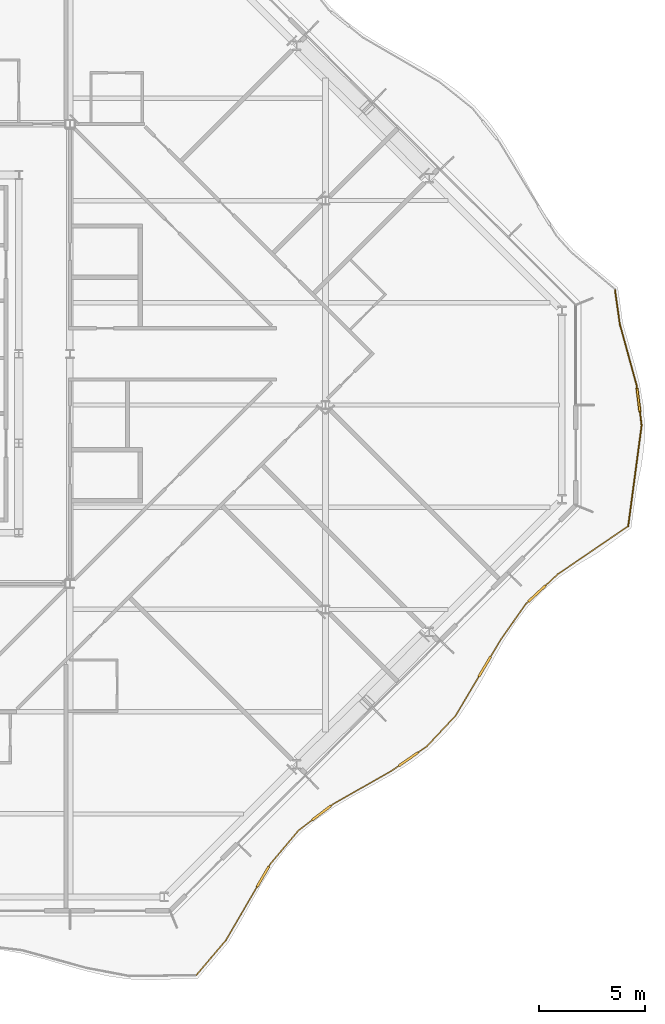
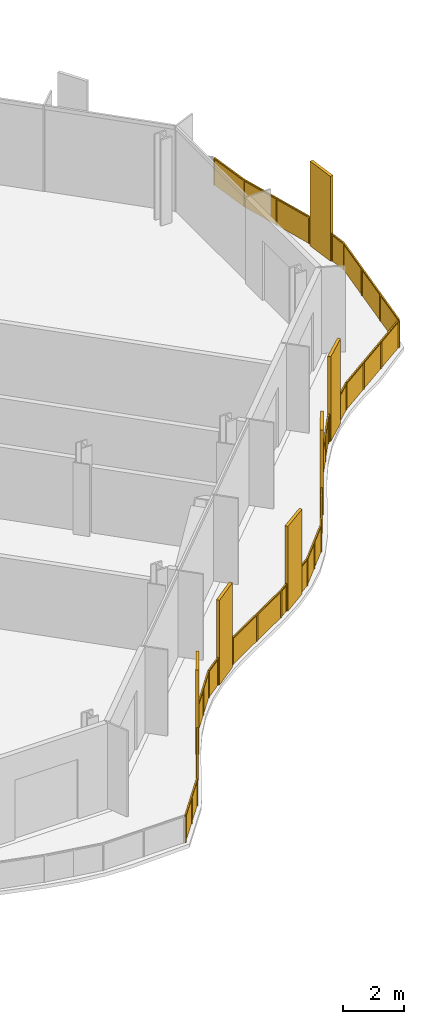
# One storey, part 15 of 17: 2 railings.
"""IFC4 building model written with IfcOpenShell, lengths in metres."""

from ifc_helpers import new_model, si_unit, direction, frame, origin, origin_2d, place, context, subcontext, project, spatial, polyline, rectangle, outline, extrude, material, type_object, element, save


model = new_model("IFC4")

# Units and contexts
model_context = context("Model", 3, precision=1e-05, world=origin(), true_north=direction((0.0, 1.0)))
body_context = subcontext(model_context, "Body", "Model", "MODEL_VIEW")
ifc_project = project(units=[si_unit("LENGTHUNIT", "METRE"), si_unit("AREAUNIT", "SQUARE_METRE"), si_unit("VOLUMEUNIT", "CUBIC_METRE"), si_unit("PLANEANGLEUNIT", "RADIAN"), si_unit("MASSUNIT", "GRAM", prefix="KILO")], contexts=[model_context])

# Site, building, storey
site_placement = place(None, origin())
site = spatial("IfcSite", under=ifc_project, at=site_placement, CompositionType="ELEMENT")
building_placement = place(site_placement, origin())
building = spatial("IfcBuilding", under=site, at=building_placement, Name="Cairn Pilgrim Tower", CompositionType="ELEMENT")
storey_placement = place(building_placement, frame((0.0, 0.0, 225.0)))
storey = spatial("IfcBuildingStorey", under=building, at=storey_placement, Name="L57", CompositionType="ELEMENT", Elevation=225.0)

# Railings
ifc_material = material(Name="Bronze anodised aluminium rail, posts and fin screens with laminated glass infill", Category="aluminium")
railing_type = type_object("IfcRailingType", Name="BALCONY GUARD WITH FIN SCREENS", PredefinedType="GUARDRAIL", material=ifc_material)
railing_1_placement = place(storey_placement, frame((25.138427734375, -26.769287109375, 0.0)))
element("IfcRailing", 1, at=railing_1_placement, inside=storey, type_object=railing_type, Name="Balcony guard BGF-2 with fin screens", PredefinedType="GUARDRAIL", context=body_context, shape_type="SweptSolid", body=[
    extrude(rectangle(XDim=0.050048828125, YDim=0.050048828125, at=origin_2d()), frame((0.0, 0.0, 1.0751953125), z_axis=(0.646667941589, 0.762771639038, 0.0), x_axis=(-0.762771639038, 0.646667941589, 0.0)), (0.0, 0.0, 1.0), 2.140625),
    extrude(rectangle(XDim=1.10009765625, YDim=0.110107421875, at=origin_2d()), frame((3.12548828125, 4.62255859375, 0.0), z_axis=(0.0, 0.0, 1.0), x_axis=(0.503276157898, 0.864125632585, 0.0)), (0.0, 0.0, 1.0), 3.39990234375),
    extrude(rectangle(XDim=0.050048828125, YDim=0.050048828125, at=origin_2d()), frame((1.38427734375, 1.6328125, 1.0751953125), z_axis=(0.503276157898, 0.864125632585, 0.0), x_axis=(-0.864125632585, 0.503276157898, 0.0)), (0.0, 0.0, 1.0), 2.909912109375),
    extrude(rectangle(XDim=0.050048828125, YDim=0.050048828125, at=origin_2d()), frame((3.40234375, 5.097900390625, 1.0751953125), z_axis=(0.503276157898, 0.864125632585, 0.0), x_axis=(-0.864125632585, 0.503276157898, 0.0)), (0.0, 0.0, 1.0), 0.150390625),
    extrude(rectangle(XDim=0.050048828125, YDim=0.050048828125, at=origin_2d()), frame((3.47802734375, 5.227783203125, 1.0751953125), z_axis=(0.644664192748, 0.764465877976, 0.0), x_axis=(-0.764465877976, 0.644664192748, 0.0)), (0.0, 0.0, 1.0), 2.048095703125),
    extrude(rectangle(XDim=1.10009765625, YDim=0.110107421875, at=origin_2d()), frame((5.876708984375, 7.615478515625, 0.0), z_axis=(0.0, 0.0, 1.0), x_axis=(0.795229964148, 0.606307928466, 0.0)), (0.0, 0.0, 1.0), 3.39990234375),
    extrude(rectangle(XDim=0.050048828125, YDim=0.050048828125, at=origin_2d()), frame((4.79833984375, 6.79345703125, 1.0751953125), z_axis=(0.795229964148, 0.606307928466, 0.0), x_axis=(-0.606307928466, 0.795229964148, 0.0)), (0.0, 0.0, 1.0), 0.805908203125),
    extrude(rectangle(XDim=0.050048828125, YDim=0.050048828125, at=origin_2d()), frame((6.31396484375, 7.948974609375, 1.0751953125), z_axis=(0.795229964148, 0.606307928466, 0.0), x_axis=(-0.606307928466, 0.795229964148, 0.0)), (0.0, 0.0, 1.0), 0.150146484375),
    extrude(rectangle(XDim=0.050048828125, YDim=0.050048828125, at=origin_2d()), frame((6.433349609375, 8.0400390625, 1.0751953125), z_axis=(0.869916335649, 0.493199319719, 0.0), x_axis=(-0.493199319719, 0.869916335649, 0.0)), (0.0, 0.0, 1.0), 3.133544921875),
    extrude(rectangle(XDim=1.10009765625, YDim=0.110107421875, at=origin_2d()), frame((9.956787109375, 10.139892578125, 0.0), z_axis=(0.0, 0.0, 1.0), x_axis=(0.821190707652, 0.570653854509, 0.0)), (0.0, 0.0, 1.0), 3.39990234375),
    extrude(rectangle(XDim=0.050048828125, YDim=0.050048828125, at=origin_2d()), frame((9.1591796875, 9.58544921875, 1.0751953125), z_axis=(0.821190707652, 0.570653854509, 0.0), x_axis=(-0.570653854509, 0.821190707652, 0.0)), (0.0, 0.0, 1.0), 0.42138671875),
    extrude(rectangle(XDim=0.050048828125, YDim=0.050048828125, at=origin_2d()), frame((10.408447265625, 10.45361328125, 1.0751953125), z_axis=(0.821190707652, 0.570653854509, 0.0), x_axis=(-0.570653854509, 0.821190707652, 0.0)), (0.0, 0.0, 1.0), 0.499755859375),
    extrude(rectangle(XDim=0.050048828125, YDim=0.050048828125, at=origin_2d()), frame((10.81884765625, 10.73876953125, 1.0751953125), z_axis=(0.684055959068, 0.729429533858, 0.0), x_axis=(-0.729429533858, 0.684055959068, 0.0)), (0.0, 0.0, 1.0), 1.97998046875),
    extrude(rectangle(XDim=1.10009765625, YDim=0.110107421875, at=origin_2d()), frame((13.540771484375, 14.486328125, 0.0), z_axis=(0.0, 0.0, 1.0), x_axis=(0.510510144635, 0.8598717301, 0.0)), (0.0, 0.0, 1.0), 3.39990234375),
    extrude(rectangle(XDim=0.050048828125, YDim=0.050048828125, at=origin_2d()), frame((12.17333984375, 12.18310546875, 1.0751953125), z_axis=(0.510510144635, 0.8598717301, 0.0), x_axis=(-0.8598717301, 0.510510144635, 0.0)), (0.0, 0.0, 1.0), 2.128662109375),
    extrude(rectangle(XDim=0.050048828125, YDim=0.050048828125, at=origin_2d()), frame((13.821533203125, 14.959228515625, 1.0751953125), z_axis=(0.510510144635, 0.8598717301, 0.0), x_axis=(-0.8598717301, 0.510510144635, 0.0)), (0.0, 0.0, 1.0), 0.911865234375),
    extrude(rectangle(XDim=0.050048828125, YDim=0.050048828125, at=origin_2d()), frame((14.287109375, 15.743408203125, 1.0751953125), z_axis=(0.573851305064, 0.818959510401, 0.0), x_axis=(-0.818959510401, 0.573851305064, 0.0)), (0.0, 0.0, 1.0), 2.063720703125),
    extrude(rectangle(XDim=1.10009765625, YDim=0.110107421875, at=origin_2d()), frame((15.984375, 17.909912109375, 0.0), z_axis=(0.0, 0.0, 1.0), x_axis=(0.732831855274, 0.680409782334, 0.0)), (0.0, 0.0, 1.0), 3.39990234375),
    extrude(rectangle(XDim=0.050048828125, YDim=0.050048828125, at=origin_2d()), frame((15.471435546875, 17.43359375, 1.0751953125), z_axis=(0.732831855274, 0.680409782334, 0.0), x_axis=(-0.680409782334, 0.732831855274, 0.0)), (0.0, 0.0, 1.0), 0.14990234375),
    extrude(rectangle(XDim=0.050048828125, YDim=0.050048828125, at=origin_2d()), frame((16.387451171875, 18.2841796875, 1.0751953125), z_axis=(0.732831855274, 0.680409782334, 0.0), x_axis=(-0.680409782334, 0.732831855274, 0.0)), (0.0, 0.0, 1.0), 0.7900390625),
    extrude(rectangle(XDim=0.050048828125, YDim=0.050048828125, at=origin_2d()), frame((16.96630859375, 18.821533203125, 1.0751953125), z_axis=(0.825909179893, 0.563803180701, 0.0), x_axis=(-0.563803180701, 0.825909179893, 0.0)), (0.0, 0.0, 1.0), 3.946533203125),
    extrude(rectangle(XDim=0.050048828125, YDim=0.050048828125, at=origin_2d()), origin(), (0.0, 0.0, 1.0), 1.050048828125),
    extrude(rectangle(XDim=0.050048828125, YDim=0.050048828125, at=origin_2d()), frame((0.692138671875, 0.81640625, 0.0)), (0.0, 0.0, 1.0), 1.050048828125),
    extrude(rectangle(XDim=0.050048828125, YDim=0.050048828125, at=origin_2d()), frame((1.38427734375, 1.6328125, 0.0)), (0.0, 0.0, 1.0), 1.050048828125),
    extrude(rectangle(XDim=0.050048828125, YDim=0.050048828125, at=origin_2d()), frame((2.1103515625, 2.87939453125, 0.0)), (0.0, 0.0, 1.0), 1.050048828125),
    extrude(rectangle(XDim=0.050048828125, YDim=0.050048828125, at=origin_2d()), frame((2.836181640625, 4.125732421875, 0.0)), (0.0, 0.0, 1.0), 1.050048828125),
    extrude(rectangle(XDim=0.050048828125, YDim=0.050048828125, at=origin_2d()), frame((3.4150390625, 5.11962890625, 0.0)), (0.0, 0.0, 1.0), 1.050048828125),
    extrude(rectangle(XDim=0.050048828125, YDim=0.050048828125, at=origin_2d()), frame((3.47802734375, 5.227783203125, 0.0)), (0.0, 0.0, 1.0), 1.050048828125),
    extrude(rectangle(XDim=0.050048828125, YDim=0.050048828125, at=origin_2d()), frame((4.13818359375, 6.0107421875, 0.0)), (0.0, 0.0, 1.0), 1.050048828125),
    extrude(rectangle(XDim=0.050048828125, YDim=0.050048828125, at=origin_2d()), frame((4.79833984375, 6.79345703125, 0.0)), (0.0, 0.0, 1.0), 1.050048828125),
    extrude(rectangle(XDim=0.050048828125, YDim=0.050048828125, at=origin_2d()), frame((5.41943359375, 7.266845703125, 0.0)), (0.0, 0.0, 1.0), 1.050048828125),
    extrude(rectangle(XDim=0.050048828125, YDim=0.050048828125, at=origin_2d()), frame((6.333984375, 7.964111328125, 0.0)), (0.0, 0.0, 1.0), 1.050048828125),
    extrude(rectangle(XDim=0.050048828125, YDim=0.050048828125, at=origin_2d()), frame((6.433349609375, 8.0400390625, 0.0)), (0.0, 0.0, 1.0), 1.050048828125),
    extrude(rectangle(XDim=0.050048828125, YDim=0.050048828125, at=origin_2d()), frame((7.79638671875, 8.812744140625, 0.0)), (0.0, 0.0, 1.0), 1.050048828125),
    extrude(rectangle(XDim=0.050048828125, YDim=0.050048828125, at=origin_2d()), frame((9.1591796875, 9.58544921875, 0.0)), (0.0, 0.0, 1.0), 1.050048828125),
    extrude(rectangle(XDim=0.050048828125, YDim=0.050048828125, at=origin_2d()), frame((9.484619140625, 9.8115234375, 0.0)), (0.0, 0.0, 1.0), 1.050048828125),
    extrude(rectangle(XDim=0.050048828125, YDim=0.050048828125, at=origin_2d()), frame((10.42919921875, 10.468017578125, 0.0)), (0.0, 0.0, 1.0), 1.050048828125),
    extrude(rectangle(XDim=0.050048828125, YDim=0.050048828125, at=origin_2d()), frame((10.81884765625, 10.73876953125, 0.0)), (0.0, 0.0, 1.0), 1.050048828125),
    extrude(rectangle(XDim=0.050048828125, YDim=0.050048828125, at=origin_2d()), frame((11.49609375, 11.4609375, 0.0)), (0.0, 0.0, 1.0), 1.050048828125),
    extrude(rectangle(XDim=0.050048828125, YDim=0.050048828125, at=origin_2d()), frame((12.17333984375, 12.18310546875, 0.0)), (0.0, 0.0, 1.0), 1.050048828125),
    extrude(rectangle(XDim=0.050048828125, YDim=0.050048828125, at=origin_2d()), frame((12.710205078125, 13.08740234375, 0.0)), (0.0, 0.0, 1.0), 1.050048828125),
    extrude(rectangle(XDim=0.050048828125, YDim=0.050048828125, at=origin_2d()), frame((13.247314453125, 13.991943359375, 0.0)), (0.0, 0.0, 1.0), 1.050048828125),
    extrude(rectangle(XDim=0.050048828125, YDim=0.050048828125, at=origin_2d()), frame((13.834228515625, 14.980712890625, 0.0)), (0.0, 0.0, 1.0), 1.050048828125),
    extrude(rectangle(XDim=0.050048828125, YDim=0.050048828125, at=origin_2d()), frame((14.287109375, 15.743408203125, 0.0)), (0.0, 0.0, 1.0), 1.050048828125),
    extrude(rectangle(XDim=0.050048828125, YDim=0.050048828125, at=origin_2d()), frame((14.87939453125, 16.58837890625, 0.0)), (0.0, 0.0, 1.0), 1.050048828125),
    extrude(rectangle(XDim=0.050048828125, YDim=0.050048828125, at=origin_2d()), frame((15.471435546875, 17.43359375, 0.0)), (0.0, 0.0, 1.0), 1.050048828125),
    extrude(rectangle(XDim=0.050048828125, YDim=0.050048828125, at=origin_2d()), frame((15.56298828125, 17.5185546875, 0.0)), (0.0, 0.0, 1.0), 1.050048828125),
    extrude(rectangle(XDim=0.050048828125, YDim=0.050048828125, at=origin_2d()), frame((16.40576171875, 18.301025390625, 0.0)), (0.0, 0.0, 1.0), 1.050048828125),
    extrude(rectangle(XDim=0.050048828125, YDim=0.050048828125, at=origin_2d()), frame((16.96630859375, 18.821533203125, 0.0)), (0.0, 0.0, 1.0), 1.050048828125),
    extrude(rectangle(XDim=0.050048828125, YDim=0.050048828125, at=origin_2d()), frame((18.052734375, 19.563232421875, 0.0)), (0.0, 0.0, 1.0), 1.050048828125),
    extrude(rectangle(XDim=0.050048828125, YDim=0.050048828125, at=origin_2d()), frame((19.139404296875, 20.304931640625, 0.0)), (0.0, 0.0, 1.0), 1.050048828125),
    extrude(rectangle(XDim=0.050048828125, YDim=0.050048828125, at=origin_2d()), frame((20.225830078125, 21.046630859375, 0.0)), (0.0, 0.0, 1.0), 1.050048828125),
    extrude(outline(polyline([(0.02490234375, 0.0), (1.04541015625, 0.0), (1.04541015625, 1.050048828125), (0.02490234375, 1.050048828125), (0.02490234375, 0.0)])), frame((-0.004638671875, 0.00390625, 0.0), z_axis=(0.762771639038, -0.646667941589, 0.0), x_axis=(0.646667941589, 0.762771639038, 0.0)), (0.0, 0.0, 1.0), 0.011962890625),
    extrude(outline(polyline([(0.02490234375, 0.0), (1.04541015625, 0.0), (1.04541015625, 1.050048828125), (0.02490234375, 1.050048828125), (0.02490234375, 0.0)])), frame((0.6875, 0.8203125, 0.0), z_axis=(0.762771639038, -0.646667941589, 0.0), x_axis=(0.646667941589, 0.762771639038, 0.0)), (0.0, 0.0, 1.0), 0.011962890625),
    extrude(outline(polyline([(0.02490234375, 0.0), (1.41748046875, 0.0), (1.41748046875, 1.050048828125), (0.02490234375, 1.050048828125), (0.02490234375, 0.0)])), frame((1.379150390625, 1.6357421875, 0.0), z_axis=(0.864125632585, -0.503276157898, 0.0), x_axis=(0.503276157898, 0.864125632585, 0.0)), (0.0, 0.0, 1.0), 0.011962890625),
    extrude(outline(polyline([(0.02490234375, 0.0), (1.41748046875, 0.0), (1.41748046875, 1.050048828125), (0.02490234375, 1.050048828125), (0.02490234375, 0.0)])), frame((2.10498046875, 2.88232421875, 0.0), z_axis=(0.864125632585, -0.503276157898, 0.0), x_axis=(0.503276157898, 0.864125632585, 0.0)), (0.0, 0.0, 1.0), 0.011962890625),
    extrude(outline(polyline([(0.02490234375, 0.0), (0.100341796875, 0.0), (0.100341796875, 1.050048828125), (0.02490234375, 1.050048828125), (0.02490234375, 0.0)])), frame((3.409912109375, 5.12255859375, 0.0), z_axis=(0.864125632585, -0.503276157898, 0.0), x_axis=(0.503276157898, 0.864125632585, 0.0)), (0.0, 0.0, 1.0), 0.011962890625),
    extrude(outline(polyline([(0.02490234375, 0.0), (0.9990234375, 0.0), (0.9990234375, 1.050048828125), (0.02490234375, 1.050048828125), (0.02490234375, 0.0)])), frame((3.473388671875, 5.231689453125, 0.0), z_axis=(0.764465877976, -0.644664192748, 0.0), x_axis=(0.644664192748, 0.764465877976, 0.0)), (0.0, 0.0, 1.0), 0.011962890625),
    extrude(outline(polyline([(0.02490234375, 0.0), (0.9990234375, 0.0), (0.9990234375, 1.050048828125), (0.02490234375, 1.050048828125), (0.02490234375, 0.0)])), frame((4.133544921875, 6.014404296875, 0.0), z_axis=(0.764465877976, -0.644664192748, 0.0), x_axis=(0.644664192748, 0.764465877976, 0.0)), (0.0, 0.0, 1.0), 0.011962890625),
    extrude(outline(polyline([(0.02490234375, 0.0), (0.755859375, 0.0), (0.755859375, 1.050048828125), (0.02490234375, 1.050048828125), (0.02490234375, 0.0)])), frame((4.794677734375, 6.798095703125, 0.0), z_axis=(0.606307928466, -0.795229964148, 0.0), x_axis=(0.795229964148, 0.606307928466, 0.0)), (0.0, 0.0, 1.0), 0.011962890625),
    extrude(outline(polyline([(0.02490234375, 0.0), (0.10009765625, 0.0), (0.10009765625, 1.050048828125), (0.02490234375, 1.050048828125), (0.02490234375, 0.0)])), frame((6.330322265625, 7.968994140625, 0.0), z_axis=(0.606307928466, -0.795229964148, 0.0), x_axis=(0.795229964148, 0.606307928466, 0.0)), (0.0, 0.0, 1.0), 0.011962890625),
    extrude(outline(polyline([(0.02490234375, 0.0), (1.541748046875, 0.0), (1.541748046875, 1.050048828125), (0.02490234375, 1.050048828125), (0.02490234375, 0.0)])), frame((6.430419921875, 8.045166015625, 0.0), z_axis=(0.493199319719, -0.869916335649, 0.0), x_axis=(0.869916335649, 0.493199319719, 0.0)), (0.0, 0.0, 1.0), 0.011962890625),
    extrude(outline(polyline([(0.02490234375, 0.0), (1.541748046875, 0.0), (1.541748046875, 1.050048828125), (0.02490234375, 1.050048828125), (0.02490234375, 0.0)])), frame((7.793212890625, 8.81787109375, 0.0), z_axis=(0.493199319719, -0.869916335649, 0.0), x_axis=(0.869916335649, 0.493199319719, 0.0)), (0.0, 0.0, 1.0), 0.011962890625),
    extrude(outline(polyline([(0.02490234375, 0.0), (0.371337890625, 0.0), (0.371337890625, 1.050048828125), (0.02490234375, 1.050048828125), (0.02490234375, 0.0)])), frame((9.15576171875, 9.59033203125, 0.0), z_axis=(0.570653854509, -0.821190707652, 0.0), x_axis=(0.821190707652, 0.570653854509, 0.0)), (0.0, 0.0, 1.0), 0.011962890625),
    extrude(outline(polyline([(0.02490234375, 0.0), (0.44970703125, 0.0), (0.44970703125, 1.050048828125), (0.02490234375, 1.050048828125), (0.02490234375, 0.0)])), frame((10.42578125, 10.472900390625, 0.0), z_axis=(0.570653854509, -0.821190707652, 0.0), x_axis=(0.821190707652, 0.570653854509, 0.0)), (0.0, 0.0, 1.0), 0.011962890625),
    extrude(outline(polyline([(0.02490234375, 0.0), (0.965087890625, 0.0), (0.965087890625, 1.050048828125), (0.02490234375, 1.050048828125), (0.02490234375, 0.0)])), frame((10.814453125, 10.742919921875, 0.0), z_axis=(0.729429533858, -0.684055959068, 0.0), x_axis=(0.684055959068, 0.729429533858, 0.0)), (0.0, 0.0, 1.0), 0.011962890625),
    extrude(outline(polyline([(0.02490234375, 0.0), (0.965087890625, 0.0), (0.965087890625, 1.050048828125), (0.02490234375, 1.050048828125), (0.02490234375, 0.0)])), frame((11.49169921875, 11.465087890625, 0.0), z_axis=(0.729429533858, -0.684055959068, 0.0), x_axis=(0.684055959068, 0.729429533858, 0.0)), (0.0, 0.0, 1.0), 0.011962890625),
    extrude(outline(polyline([(0.02490234375, 0.0), (1.02685546875, 0.0), (1.02685546875, 1.050048828125), (0.02490234375, 1.050048828125), (0.02490234375, 0.0)])), frame((12.168212890625, 12.186279296875, 0.0), z_axis=(0.8598717301, -0.510510144635, 0.0), x_axis=(0.510510144635, 0.8598717301, 0.0)), (0.0, 0.0, 1.0), 0.011962890625),
    extrude(outline(polyline([(0.02490234375, 0.0), (1.02685546875, 0.0), (1.02685546875, 1.050048828125), (0.02490234375, 1.050048828125), (0.02490234375, 0.0)])), frame((12.705078125, 13.090576171875, 0.0), z_axis=(0.8598717301, -0.510510144635, 0.0), x_axis=(0.510510144635, 0.8598717301, 0.0)), (0.0, 0.0, 1.0), 0.011962890625),
    extrude(outline(polyline([(0.02490234375, 0.0), (0.86181640625, 0.0), (0.86181640625, 1.050048828125), (0.02490234375, 1.050048828125), (0.02490234375, 0.0)])), frame((13.8291015625, 14.98388671875, 0.0), z_axis=(0.8598717301, -0.510510144635, 0.0), x_axis=(0.510510144635, 0.8598717301, 0.0)), (0.0, 0.0, 1.0), 0.011962890625),
    extrude(outline(polyline([(0.02490234375, 0.0), (1.0068359375, 0.0), (1.0068359375, 1.050048828125), (0.02490234375, 1.050048828125), (0.02490234375, 0.0)])), frame((14.2822265625, 15.746826171875, 0.0), z_axis=(0.818959510401, -0.573851305064, 0.0), x_axis=(0.573851305064, 0.818959510401, 0.0)), (0.0, 0.0, 1.0), 0.011962890625),
    extrude(outline(polyline([(0.02490234375, 0.0), (1.0068359375, 0.0), (1.0068359375, 1.050048828125), (0.02490234375, 1.050048828125), (0.02490234375, 0.0)])), frame((14.874267578125, 16.592041015625, 0.0), z_axis=(0.818959510401, -0.573851305064, 0.0), x_axis=(0.573851305064, 0.818959510401, 0.0)), (0.0, 0.0, 1.0), 0.011962890625),
    extrude(outline(polyline([(0.02490234375, 0.0), (0.099853515625, 0.0), (0.099853515625, 1.050048828125), (0.02490234375, 1.050048828125), (0.02490234375, 0.0)])), frame((15.46728515625, 17.43798828125, 0.0), z_axis=(0.680409782334, -0.732831855274, 0.0), x_axis=(0.732831855274, 0.680409782334, 0.0)), (0.0, 0.0, 1.0), 0.011962890625),
    extrude(outline(polyline([(0.02490234375, 0.0), (0.739990234375, 0.0), (0.739990234375, 1.050048828125), (0.02490234375, 1.050048828125), (0.02490234375, 0.0)])), frame((16.401611328125, 18.305419921875, 0.0), z_axis=(0.680409782334, -0.732831855274, 0.0), x_axis=(0.732831855274, 0.680409782334, 0.0)), (0.0, 0.0, 1.0), 0.011962890625),
    extrude(outline(polyline([(0.02490234375, 0.0), (1.29052734375, 0.0), (1.29052734375, 1.050048828125), (0.02490234375, 1.050048828125), (0.02490234375, 0.0)])), frame((16.962890625, 18.826416015625, 0.0), z_axis=(0.563803180701, -0.825909179893, 0.0), x_axis=(0.825909179893, 0.563803180701, 0.0)), (0.0, 0.0, 1.0), 0.011962890625),
    extrude(outline(polyline([(0.02490234375, 0.0), (1.29052734375, 0.0), (1.29052734375, 1.050048828125), (0.02490234375, 1.050048828125), (0.02490234375, 0.0)])), frame((18.049560546875, 19.568115234375, 0.0), z_axis=(0.563803180701, -0.825909179893, 0.0), x_axis=(0.825909179893, 0.563803180701, 0.0)), (0.0, 0.0, 1.0), 0.011962890625),
    extrude(outline(polyline([(0.02490234375, 0.0), (1.29052734375, 0.0), (1.29052734375, 1.050048828125), (0.02490234375, 1.050048828125), (0.02490234375, 0.0)])), frame((19.135986328125, 20.309814453125, 0.0), z_axis=(0.563803180701, -0.825909179893, 0.0), x_axis=(0.825909179893, 0.563803180701, 0.0)), (0.0, 0.0, 1.0), 0.011962890625),
])
railing_2_placement = place(storey_placement, frame((45.413818359375, -5.688720703125, 0.0)))
element("IfcRailing", 2, at=railing_2_placement, inside=storey, type_object=railing_type, Name="Balcony guard BGF-3 with fin screens", PredefinedType="GUARDRAIL", context=body_context, shape_type="SweptSolid", body=[
    extrude(rectangle(XDim=0.050048828125, YDim=0.050048828125, at=origin_2d()), frame((0.0, 0.0, 1.0751953125), z_axis=(0.132626224378, 0.991166123618, 0.0), x_axis=(-0.991166123618, 0.132626224378, 0.0)), (0.0, 0.0, 1.0), 4.771484375),
    extrude(rectangle(XDim=1.10009765625, YDim=0.110107421875, at=origin_2d()), frame((0.482421875, 5.9248046875, 0.0), z_axis=(0.0, 0.0, 1.0), x_axis=(-0.12482334393, 0.992178982246, 0.0)), (0.0, 0.0, 1.0), 3.39990234375),
    extrude(rectangle(XDim=0.050048828125, YDim=0.050048828125, at=origin_2d()), frame((0.6328125, 4.729248046875, 1.0751953125), z_axis=(-0.12482334393, 0.992178982246, 0.0), x_axis=(-0.992178982246, -0.12482334393, 0.0)), (0.0, 0.0, 1.0), 0.655029296875),
    extrude(rectangle(XDim=0.050048828125, YDim=0.050048828125, at=origin_2d()), frame((0.413818359375, 6.470458984375, 1.0751953125), z_axis=(-0.12482334393, 0.992178982246, 0.0), x_axis=(-0.992178982246, -0.12482334393, 0.0)), (0.0, 0.0, 1.0), 0.150146484375),
    extrude(rectangle(XDim=0.050048828125, YDim=0.050048828125, at=origin_2d()), frame((0.39501953125, 6.619384765625, 1.0751953125), z_axis=(-0.26494361091, 0.96426390736, 0.0), x_axis=(-0.96426390736, -0.26494361091, 0.0)), (0.0, 0.0, 1.0), 2.985595703125),
    extrude(rectangle(XDim=0.050048828125, YDim=0.050048828125, at=origin_2d()), frame((-0.39599609375, 9.498291015625, 1.0751953125), z_axis=(-0.139070769506, 0.990282445098, 0.0), x_axis=(-0.990282445098, -0.139070769506, 0.0)), (0.0, 0.0, 1.0), 1.585205078125),
    extrude(rectangle(XDim=0.050048828125, YDim=0.050048828125, at=origin_2d()), origin(), (0.0, 0.0, 1.0), 1.050048828125),
    extrude(rectangle(XDim=0.050048828125, YDim=0.050048828125, at=origin_2d()), frame((0.2109375, 1.576416015625, 0.0)), (0.0, 0.0, 1.0), 1.050048828125),
    extrude(rectangle(XDim=0.050048828125, YDim=0.050048828125, at=origin_2d()), frame((0.421875, 3.15283203125, 0.0)), (0.0, 0.0, 1.0), 1.050048828125),
    extrude(rectangle(XDim=0.050048828125, YDim=0.050048828125, at=origin_2d()), frame((0.6328125, 4.729248046875, 0.0)), (0.0, 0.0, 1.0), 1.050048828125),
    extrude(rectangle(XDim=0.050048828125, YDim=0.050048828125, at=origin_2d()), frame((0.55419921875, 5.354248046875, 0.0)), (0.0, 0.0, 1.0), 1.050048828125),
    extrude(rectangle(XDim=0.050048828125, YDim=0.050048828125, at=origin_2d()), frame((0.41064453125, 6.495361328125, 0.0)), (0.0, 0.0, 1.0), 1.050048828125),
    extrude(rectangle(XDim=0.050048828125, YDim=0.050048828125, at=origin_2d()), frame((0.39501953125, 6.619384765625, 0.0)), (0.0, 0.0, 1.0), 1.050048828125),
    extrude(rectangle(XDim=0.050048828125, YDim=0.050048828125, at=origin_2d()), frame((-0.00048828125, 8.058837890625, 0.0)), (0.0, 0.0, 1.0), 1.050048828125),
    extrude(rectangle(XDim=0.050048828125, YDim=0.050048828125, at=origin_2d()), frame((-0.39599609375, 9.498291015625, 0.0)), (0.0, 0.0, 1.0), 1.050048828125),
    extrude(rectangle(XDim=0.050048828125, YDim=0.050048828125, at=origin_2d()), frame((-0.616455078125, 11.068115234375, 0.0)), (0.0, 0.0, 1.0), 1.050048828125),
    extrude(outline(polyline([(0.02490234375, 0.0), (1.5654296875, 0.0), (1.5654296875, 1.050048828125), (0.02490234375, 1.050048828125), (0.02490234375, 0.0)])), frame((-0.005859375, 0.000732421875, 0.0), z_axis=(0.991166123618, -0.132626224378, 0.0), x_axis=(0.132626224378, 0.991166123618, 0.0)), (0.0, 0.0, 1.0), 0.011962890625),
    extrude(outline(polyline([(0.02490234375, 0.0), (1.5654296875, 0.0), (1.5654296875, 1.050048828125), (0.02490234375, 1.050048828125), (0.02490234375, 0.0)])), frame((0.205078125, 1.5771484375, 0.0), z_axis=(0.991166123618, -0.132626224378, 0.0), x_axis=(0.132626224378, 0.991166123618, 0.0)), (0.0, 0.0, 1.0), 0.011962890625),
    extrude(outline(polyline([(0.02490234375, 0.0), (1.5654296875, 0.0), (1.5654296875, 1.050048828125), (0.02490234375, 1.050048828125), (0.02490234375, 0.0)])), frame((0.416015625, 3.153564453125, 0.0), z_axis=(0.991166123618, -0.132626224378, 0.0), x_axis=(0.132626224378, 0.991166123618, 0.0)), (0.0, 0.0, 1.0), 0.011962890625),
    extrude(outline(polyline([(0.02490234375, 0.0), (0.60498046875, 0.0), (0.60498046875, 1.050048828125), (0.02490234375, 1.050048828125), (0.02490234375, 0.0)])), frame((0.626953125, 4.728515625, 0.0), z_axis=(0.992178982246, 0.12482334393, 0.0), x_axis=(-0.12482334393, 0.992178982246, 0.0)), (0.0, 0.0, 1.0), 0.011962890625),
    extrude(outline(polyline([(0.02490234375, 0.0), (0.10009765625, 0.0), (0.10009765625, 1.050048828125), (0.02490234375, 1.050048828125), (0.02490234375, 0.0)])), frame((0.40478515625, 6.49462890625, 0.0), z_axis=(0.992178982246, 0.12482334393, 0.0), x_axis=(-0.12482334393, 0.992178982246, 0.0)), (0.0, 0.0, 1.0), 0.011962890625),
    extrude(outline(polyline([(0.02490234375, 0.0), (1.4677734375, 0.0), (1.4677734375, 1.050048828125), (0.02490234375, 1.050048828125), (0.02490234375, 0.0)])), frame((0.38916015625, 6.617919921875, 0.0), z_axis=(0.96426390736, 0.26494361091, 0.0), x_axis=(-0.26494361091, 0.96426390736, 0.0)), (0.0, 0.0, 1.0), 0.011962890625),
    extrude(outline(polyline([(0.02490234375, 0.0), (1.4677734375, 0.0), (1.4677734375, 1.050048828125), (0.02490234375, 1.050048828125), (0.02490234375, 0.0)])), frame((-0.00634765625, 8.057373046875, 0.0), z_axis=(0.96426390736, 0.26494361091, 0.0), x_axis=(-0.26494361091, 0.96426390736, 0.0)), (0.0, 0.0, 1.0), 0.011962890625),
    extrude(outline(polyline([(0.02490234375, 0.0), (1.560302734375, 0.0), (1.560302734375, 1.050048828125), (0.02490234375, 1.050048828125), (0.02490234375, 0.0)])), frame((-0.40185546875, 9.49755859375, 0.0), z_axis=(0.990282445098, 0.139070769506, 0.0), x_axis=(-0.139070769506, 0.990282445098, 0.0)), (0.0, 0.0, 1.0), 0.011962890625),
])

save(model, "model.ifc")
